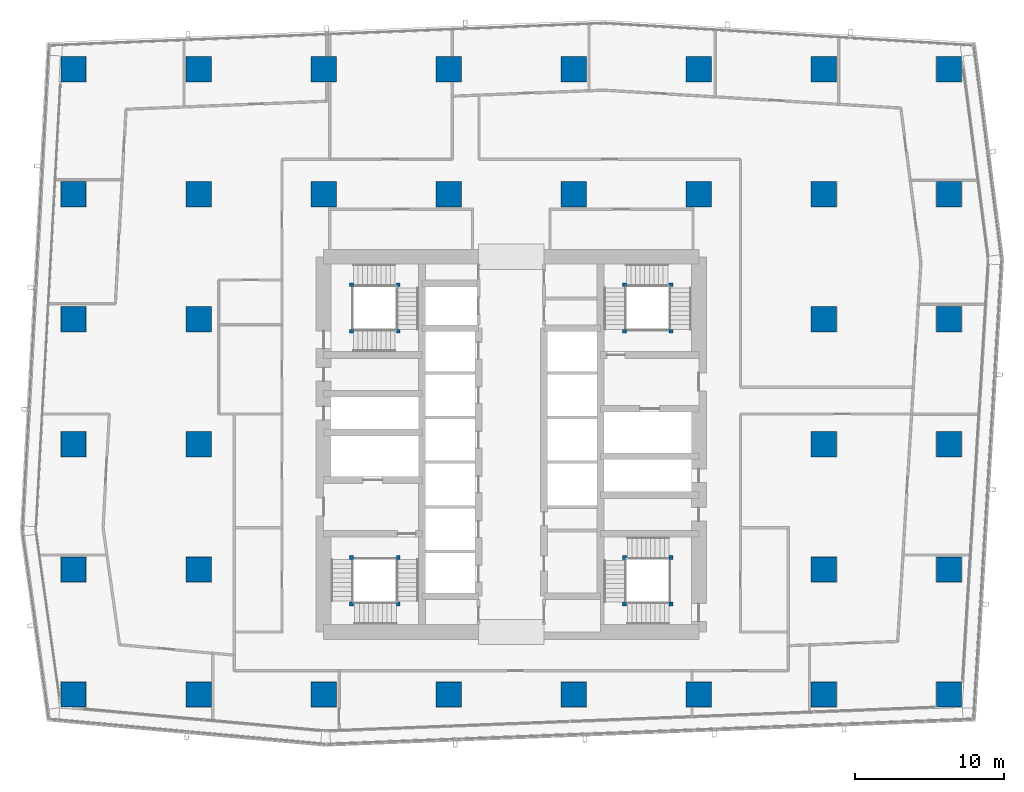
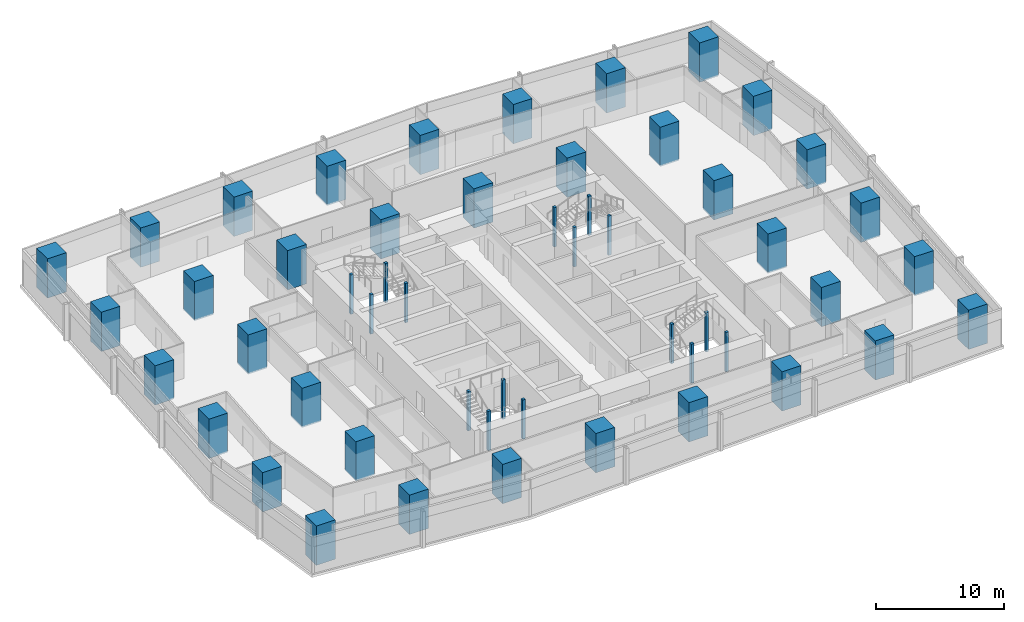
# One storey, part 1 of 40: 52 columns.
"""IFC4 building model written with IfcOpenShell, lengths in metres."""

from ifc_helpers import new_model, si_unit, direction, frame, origin, origin_2d, place, context, subcontext, project, spatial, rectangle, extrude, material, material_profile, profile_set, type_object, element, save


model = new_model("IFC4")

# Units and contexts
model_context = context("Model", 3, precision=1e-05, world=origin(), true_north=direction((0.0, 1.0)))
body_context = subcontext(model_context, "Body", "Model", "MODEL_VIEW")
ifc_project = project(units=[si_unit("LENGTHUNIT", "METRE"), si_unit("AREAUNIT", "SQUARE_METRE"), si_unit("VOLUMEUNIT", "CUBIC_METRE"), si_unit("PLANEANGLEUNIT", "RADIAN"), si_unit("MASSUNIT", "GRAM", prefix="KILO")], contexts=[model_context])

# Site, building, storey
site_placement = place(None, origin())
site = spatial("IfcSite", under=ifc_project, at=site_placement, CompositionType="ELEMENT")
building_placement = place(site_placement, origin())
building = spatial("IfcBuilding", under=site, at=building_placement, Name="Rekha Terrace Tower", CompositionType="ELEMENT")
storey_placement = place(building_placement, frame((0.0, 0.0, 110.300048828125)))
storey = spatial("IfcBuildingStorey", under=building, at=storey_placement, Name="L27", CompositionType="ELEMENT", Elevation=110.300048828125)

# Columns
ifc_material_1 = material(Name="Concrete M70", Category="concrete")
ifc_material_profile_1 = material_profile(ifc_material_1, rectangle(XDim=1.699951171875, YDim=1.699951171875, at=origin_2d()), Name="RC 1700x1700")
ifc_profile_set_1 = profile_set([ifc_material_profile_1], Name="Concrete M70")
column_type_1 = type_object("IfcColumnType", Name="C3 1700x1700 column", PredefinedType="COLUMN", material=ifc_profile_set_1)
for number, where, z_axis, x_axis, name in (
    (1, (8.39990234375, 16.800048828125, 0.0), (0.0, 0.0, 1.0), (1.0, 0.0, 0.0), "Column C3 2/C L27"),
    (2, (8.39990234375, 25.199951171875, 0.0), (0.0, 0.0, 1.0), (1.0, 0.0, 0.0), "Column C3 2/D L27"),
    (3, (8.39990234375, 33.60009765625, 0.0), (0.0, 0.0, 1.0), (1.0, 0.0, 0.0), "Column C3 2/E L27"),
    (4, (8.39990234375, 42.0, 0.0), (0.0, 0.0, 1.0), (1.0, 0.0, 0.0), "Column C3 2/F L27"),
    (5, (8.39990234375, 50.39990234375, 0.0), (0.0, 0.0, 1.0), (1.0, 0.0, 0.0), "Column C3 2/G L27"),
    (6, (8.39990234375, 58.800048828125, 0.0), (0.0, 0.0, 1.0), (1.0, 0.0, 0.0), "Column C3 2/H L27"),
    (7, (16.800048828125, 16.800048828125, 0.0), (0.0, 0.0, 1.0), (1.0, 0.0, 0.0), "Column C3 3/C L27"),
    (8, (16.800048828125, 25.199951171875, 0.0), (0.0, 0.0, 1.0), (1.0, 0.0, 0.0), "Column C3 3/D L27"),
    (9, (16.800048828125, 33.60009765625, 0.0), (0.0, 0.0, 1.0), (1.0, 0.0, 0.0), "Column C3 3/E L27"),
    (10, (16.800048828125, 42.0, 0.0), (0.0, 0.0, 1.0), (1.0, 0.0, 0.0), "Column C3 3/F L27"),
    (11, (16.800048828125, 50.39990234375, 0.0), (0.0, 0.0, 1.0), (1.0, 0.0, 0.0), "Column C3 3/G L27"),
    (12, (16.800048828125, 58.800048828125, 0.0), (0.0, 0.0, 1.0), (1.0, 0.0, 0.0), "Column C3 3/H L27"),
    (13, (25.199951171875, 16.800048828125, 0.0), (0.0, 0.0, 1.0), (1.0, 0.0, 0.0), "Column C3 4/C L27"),
    (14, (25.199951171875, 50.39990234375, 0.0), (0.0, 0.0, 1.0), (1.0, 0.0, 0.0), "Column C3 4/G L27"),
    (15, (25.199951171875, 58.800048828125, 0.0), (0.0, 0.0, 1.0), (1.0, 0.0, 0.0), "Column C3 4/H L27"),
    (16, (33.60009765625, 16.800048828125, 0.0), (0.0, 0.0, 1.0), (1.0, 0.0, 0.0), "Column C3 5/C L27"),
    (17, (33.60009765625, 50.39990234375, 0.0), (0.0, 0.0, 1.0), (1.0, 0.0, 0.0), "Column C3 5/G L27"),
    (18, (33.60009765625, 58.800048828125, 0.0), (0.0, 0.0, 1.0), (1.0, 0.0, 0.0), "Column C3 5/H L27"),
    (19, (42.0, 16.800048828125, 0.0), (0.0, 0.0, 1.0), (1.0, 0.0, 0.0), "Column C3 6/C L27"),
    (20, (42.0, 50.39990234375, 0.0), (0.0, 0.0, 1.0), (1.0, 0.0, 0.0), "Column C3 6/G L27"),
    (21, (42.0, 58.800048828125, 0.0), (0.0, 0.0, 1.0), (1.0, 0.0, 0.0), "Column C3 6/H L27"),
    (22, (50.39990234375, 16.800048828125, 0.0), (0.0, 0.0, 1.0), (1.0, 0.0, 0.0), "Column C3 7/C L27"),
    (23, (50.39990234375, 50.39990234375, 0.0), (0.0, 0.0, 1.0), (1.0, 0.0, 0.0), "Column C3 7/G L27"),
    (24, (50.39990234375, 58.800048828125, 0.0), (0.0, 0.0, 1.0), (1.0, 0.0, 0.0), "Column C3 7/H L27"),
    (25, (58.800048828125, 16.800048828125, 0.0), (0.0, 0.0, 1.0), (1.0, 0.0, 0.0), "Column C3 8/C L27"),
    (26, (58.800048828125, 25.199951171875, 0.0), (0.0, 0.0, 1.0), (1.0, 0.0, 0.0), "Column C3 8/D L27"),
    (27, (58.800048828125, 33.60009765625, 0.0), (0.0, 0.0, 1.0), (1.0, 0.0, 0.0), "Column C3 8/E L27"),
    (28, (58.800048828125, 42.0, 0.0), (0.0, 0.0, 1.0), (1.0, 0.0, 0.0), "Column C3 8/F L27"),
    (29, (58.800048828125, 50.39990234375, 0.0), (0.0, 0.0, 1.0), (1.0, 0.0, 0.0), "Column C3 8/G L27"),
    (30, (58.800048828125, 58.800048828125, 0.0), (0.0, 0.0, 1.0), (1.0, 0.0, 0.0), "Column C3 8/H L27"),
    (31, (67.199951171875, 16.800048828125, 0.0), (0.0, 0.0, 1.0), (1.0, 0.0, 0.0), "Column C3 9/C L27"),
    (32, (67.199951171875, 25.199951171875, 0.0), (0.0, 0.0, 1.0), (1.0, 0.0, 0.0), "Column C3 9/D L27"),
    (33, (67.199951171875, 33.60009765625, 0.0), (0.0, 0.0, 1.0), (1.0, 0.0, 0.0), "Column C3 9/E L27"),
    (34, (67.199951171875, 42.0, 0.0), (0.0, 0.0, 1.0), (1.0, 0.0, 0.0), "Column C3 9/F L27"),
    (35, (67.199951171875, 50.39990234375, 0.0), (0.0, 0.0, 1.0), (1.0, 0.0, 0.0), "Column C3 9/G L27"),
    (36, (67.199951171875, 58.800048828125, 0.0), (0.0, 0.0, 1.0), (1.0, 0.0, 0.0), "Column C3 9/H L27"),
):
    element("IfcColumn", number, at=place(storey_placement, frame(where, z_axis=z_axis, x_axis=x_axis)), inside=storey, type_object=column_type_1, Name=name, PredefinedType="COLUMN", context=body_context, shape_type="SweptSolid", body=[
        extrude(rectangle(XDim=1.699951171875, YDim=1.699951171875, at=origin_2d()), origin(), (0.0, 0.0, 1.0), 3.75),
    ])
ifc_material_2 = material(Name="Concrete M60", Category="concrete")
ifc_material_profile_2 = material_profile(ifc_material_2, rectangle(XDim=0.25, YDim=0.25, at=origin_2d()), Name="RC 250x250")
ifc_profile_set_2 = profile_set([ifc_material_profile_2], Name="Concrete M60")
column_type_2 = type_object("IfcColumnType", Name="NP1 250x250 stair newel post", PredefinedType="COLUMN", material=ifc_profile_set_2)
for number, where, z_axis, x_axis, name in (
    (37, (30.199951171875, 26.0, 0.0), (0.0, 0.0, 1.0), (1.0, 0.0, 0.0), "Stair newel post NP1"),
    (38, (30.199951171875, 22.875, 0.0), (0.0, 0.0, 1.0), (1.0, 0.0, 0.0), "Stair newel post NP1"),
    (39, (27.074951171875, 22.875, 0.0), (0.0, 0.0, 1.0), (1.0, 0.0, 0.0), "Stair newel post NP1"),
    (40, (27.074951171875, 26.0, 0.0), (0.0, 0.0, 1.0), (1.0, 0.0, 0.0), "Stair newel post NP1"),
    (41, (45.39990234375, 41.199951171875, 0.0), (0.0, 0.0, 1.0), (1.0, 0.0, 0.0), "Stair newel post NP1"),
    (42, (45.39990234375, 44.324951171875, 0.0), (0.0, 0.0, 1.0), (1.0, 0.0, 0.0), "Stair newel post NP1"),
    (43, (48.52490234375, 44.324951171875, 0.0), (0.0, 0.0, 1.0), (1.0, 0.0, 0.0), "Stair newel post NP1"),
    (44, (48.52490234375, 41.199951171875, 0.0), (0.0, 0.0, 1.0), (1.0, 0.0, 0.0), "Stair newel post NP1"),
    (45, (48.52490234375, 22.875, 0.0), (0.0, 0.0, 1.0), (1.0, 0.0, 0.0), "Stair newel post NP1"),
    (46, (45.39990234375, 22.875, 0.0), (0.0, 0.0, 1.0), (1.0, 0.0, 0.0), "Stair newel post NP1"),
    (47, (45.39990234375, 26.0, 0.0), (0.0, 0.0, 1.0), (1.0, 0.0, 0.0), "Stair newel post NP1"),
    (48, (48.52490234375, 26.0, 0.0), (0.0, 0.0, 1.0), (1.0, 0.0, 0.0), "Stair newel post NP1"),
    (49, (27.074951171875, 41.199951171875, 0.0), (0.0, 0.0, 1.0), (1.0, 0.0, 0.0), "Stair newel post NP1"),
    (50, (30.199951171875, 41.199951171875, 0.0), (0.0, 0.0, 1.0), (1.0, 0.0, 0.0), "Stair newel post NP1"),
    (51, (30.199951171875, 44.324951171875, 0.0), (0.0, 0.0, 1.0), (1.0, 0.0, 0.0), "Stair newel post NP1"),
    (52, (27.074951171875, 44.324951171875, 0.0), (0.0, 0.0, 1.0), (1.0, 0.0, 0.0), "Stair newel post NP1"),
):
    element("IfcColumn", number, at=place(storey_placement, frame(where, z_axis=z_axis, x_axis=x_axis)), inside=storey, type_object=column_type_2, Name=name, PredefinedType="COLUMN", context=body_context, shape_type="SweptSolid", body=[
        extrude(rectangle(XDim=0.25, YDim=0.25, at=origin_2d()), origin(), (0.0, 0.0, 1.0), 3.75),
    ])

save(model, "model.ifc")
